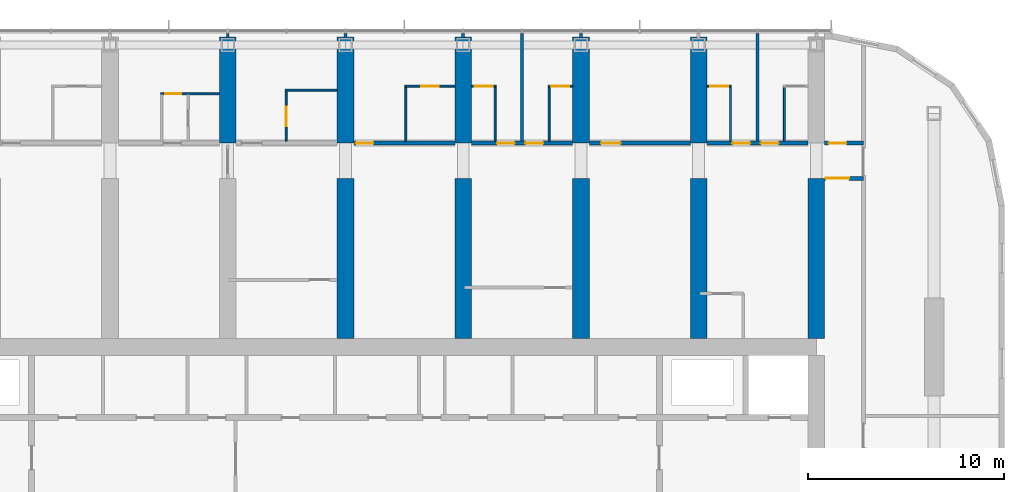
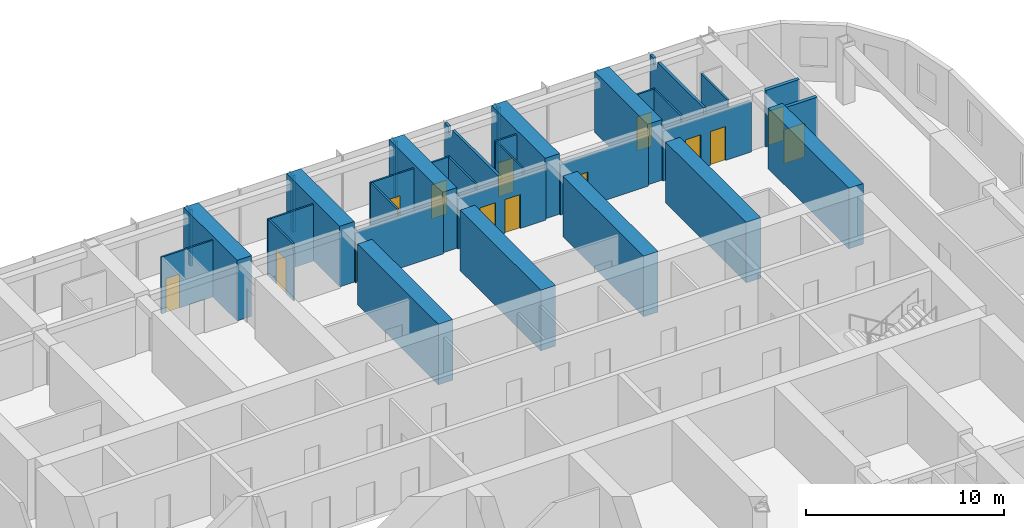
# One storey, part 16 of 22: 34 walls, 14 doors, 14 openings.
"""IFC4 building model written with IfcOpenShell, lengths in metres."""

from ifc_helpers import new_model, si_unit, direction, frame, frame_2d, origin, place, context, subcontext, project, spatial, polyline, rectangle, outline, extrude, material, layer, layer_set, type_object, element, fill, save


model = new_model("IFC4")

# Units and contexts
model_context = context("Model", 3, precision=1e-05, world=origin(), true_north=direction((0.0, 1.0)))
body_context = subcontext(model_context, "Body", "Model", "MODEL_VIEW")
ifc_project = project(units=[si_unit("LENGTHUNIT", "METRE"), si_unit("AREAUNIT", "SQUARE_METRE"), si_unit("VOLUMEUNIT", "CUBIC_METRE"), si_unit("PLANEANGLEUNIT", "RADIAN"), si_unit("MASSUNIT", "GRAM", prefix="KILO")], contexts=[model_context])

# Site, building, storey
site_placement = place(None, origin())
site = spatial("IfcSite", under=ifc_project, at=site_placement, CompositionType="ELEMENT")
building_placement = place(site_placement, origin())
building = spatial("IfcBuilding", under=site, at=building_placement, Name="Orbita Commons", CompositionType="ELEMENT")
storey_placement = place(building_placement, frame((0.0, 0.0, 167.35009765625)))
storey = spatial("IfcBuildingStorey", under=building, at=storey_placement, Name="L41", CompositionType="ELEMENT", Elevation=167.35009765625)

# Wall, opening, door
ifc_material_1 = material(Name="Concrete blockwork", Category="masonry")
ifc_layer_1 = layer(ifc_material_1, 0.199951171875)
ifc_layer_set_1 = layer_set([ifc_layer_1], Name="Concrete blockwork")
wall_type_1 = type_object("IfcWallType", Name="Corridor wall 200 blockwork", PredefinedType="SOLIDWALL", material=ifc_layer_set_1)
wall_1_placement = place(storey_placement, frame((42.425048828125, 48.60009765625, 0.0), z_axis=(0.0, 0.0, 1.0), x_axis=(1.0, 0.0, 0.0)))
wall_1 = element("IfcWall", 1, at=wall_1_placement, inside=storey, type_object=wall_type_1, Name="Corridor wall 200 blockwork L41", PredefinedType="SOLIDWALL", context=body_context, shape_type="SweptSolid", body=[
    extrude(outline(polyline([(0.0, 0.0), (5.14990234375, 0.0), (5.14990234375, 3.099853515625), (0.0, 3.099853515625), (0.0, 0.0)])), frame((0.0, 0.10009765625, 0.0), z_axis=(0.0, -1.0, 0.0), x_axis=(1.0, 0.0, 0.0)), (0.0, 0.0, 1.0), 0.199951171875),
])
opening_1_placement = place(wall_1_placement, frame((0.10009765625, 0.0, 0.0)))
opening_1 = element("IfcOpeningElement", 2, at=opening_1_placement, cuts=wall_1, Name="Opening D11", PredefinedType="OPENING", context=body_context, shape_type="SweptSolid", body=[
    extrude(rectangle(XDim=0.89990234375, YDim=2.10009765625, at=frame_2d((0.449951171875, 1.050048828125))), frame((0.0, 0.10986328125, 0.0), z_axis=(0.0, -1.0, 0.0), x_axis=(1.0, 0.0, 0.0)), (0.0, 0.0, 1.0), 0.219970703125),
])
ifc_material_2 = material(Name="Steel-faced fire door leaf", Category="steel")
door_type_1 = type_object("IfcDoorType", Name="Corridor door 20 min 900x2100", OperationType="SINGLE_SWING_LEFT", PredefinedType="DOOR", material=ifc_material_2)
door_1_placement = place(opening_1_placement, origin())
door_1 = element("IfcDoor", 3, at=door_1_placement, inside=storey, type_object=door_type_1, Name="Twin room L41-N08 door", OperationType="SINGLE_SWING_LEFT", OverallHeight=2.10009765625, OverallWidth=0.89990234375, PredefinedType="DOOR", context=body_context, shape_type="SweptSolid", body=[
    extrude(rectangle(XDim=0.89990234375, YDim=2.10009765625, at=frame_2d((0.449951171875, 1.050048828125))), frame((0.0, 0.02490234375, 0.0), z_axis=(0.0, -1.0, 0.0), x_axis=(1.0, 0.0, 0.0)), (0.0, 0.0, 1.0), 0.050048828125),
])
fill(opening_1, door_1)

# Wall, openings, doors
wall_2_placement = place(storey_placement, frame((48.425048828125, 48.60009765625, 0.0), z_axis=(0.0, 0.0, 1.0), x_axis=(1.0, 0.0, 0.0)))
wall_2 = element("IfcWall", 4, at=wall_2_placement, inside=storey, type_object=wall_type_1, Name="Corridor wall 200 blockwork L41", PredefinedType="SOLIDWALL", context=body_context, shape_type="SweptSolid", body=[
    extrude(outline(polyline([(0.0, 0.0), (5.14990234375, 0.0), (5.14990234375, 3.099853515625), (0.0, 3.099853515625), (0.0, 0.0)])), frame((0.0, 0.10009765625, 0.0), z_axis=(0.0, -1.0, 0.0), x_axis=(1.0, 0.0, 0.0)), (0.0, 0.0, 1.0), 0.199951171875),
])
opening_2_placement = place(wall_2_placement, frame((1.300048828125, 0.0, 0.0)))
opening_2 = element("IfcOpeningElement", 5, at=opening_2_placement, cuts=wall_2, Name="Opening D11", PredefinedType="OPENING", context=body_context, shape_type="SweptSolid", body=[
    extrude(rectangle(XDim=0.89990234375, YDim=2.10009765625, at=frame_2d((0.449951171875, 1.050048828125))), frame((0.0, 0.10986328125, 0.0), z_axis=(0.0, -1.0, 0.0), x_axis=(1.0, 0.0, 0.0)), (0.0, 0.0, 1.0), 0.219970703125),
])
opening_3_placement = place(wall_2_placement, frame((2.75, 0.0, 0.0)))
opening_3 = element("IfcOpeningElement", 6, at=opening_3_placement, cuts=wall_2, Name="Opening D11", PredefinedType="OPENING", context=body_context, shape_type="SweptSolid", body=[
    extrude(rectangle(XDim=0.89990234375, YDim=2.10009765625, at=frame_2d((0.449951171875, 1.050048828125))), frame((0.0, 0.10986328125, 0.0), z_axis=(0.0, -1.0, 0.0), x_axis=(1.0, 0.0, 0.0)), (0.0, 0.0, 1.0), 0.219970703125),
])
door_2_placement = place(opening_2_placement, origin())
door_2 = element("IfcDoor", 7, at=door_2_placement, inside=storey, type_object=door_type_1, Name="Cluster bedroom L41-N10 door", OperationType="SINGLE_SWING_LEFT", OverallHeight=2.10009765625, OverallWidth=0.89990234375, PredefinedType="DOOR", context=body_context, shape_type="SweptSolid", body=[
    extrude(rectangle(XDim=0.89990234375, YDim=2.10009765625, at=frame_2d((0.449951171875, 1.050048828125))), frame((0.0, 0.02490234375, 0.0), z_axis=(0.0, -1.0, 0.0), x_axis=(1.0, 0.0, 0.0)), (0.0, 0.0, 1.0), 0.050048828125),
])
fill(opening_2, door_2)
door_3_placement = place(opening_3_placement, origin())
door_3 = element("IfcDoor", 8, at=door_3_placement, inside=storey, type_object=door_type_1, Name="Cluster bedroom L41-N11 door", OperationType="SINGLE_SWING_LEFT", OverallHeight=2.10009765625, OverallWidth=0.89990234375, PredefinedType="DOOR", context=body_context, shape_type="SweptSolid", body=[
    extrude(rectangle(XDim=0.89990234375, YDim=2.10009765625, at=frame_2d((0.449951171875, 1.050048828125))), frame((0.0, 0.02490234375, 0.0), z_axis=(0.0, -1.0, 0.0), x_axis=(1.0, 0.0, 0.0)), (0.0, 0.0, 1.0), 0.050048828125),
])
fill(opening_3, door_3)

# Wall, opening, door
wall_3_placement = place(storey_placement, frame((54.425048828125, 48.60009765625, 0.0), z_axis=(0.0, 0.0, 1.0), x_axis=(1.0, 0.0, 0.0)))
wall_3 = element("IfcWall", 9, at=wall_3_placement, inside=storey, type_object=wall_type_1, Name="Corridor wall 200 blockwork L41", PredefinedType="SOLIDWALL", context=body_context, shape_type="SweptSolid", body=[
    extrude(outline(polyline([(0.0, 0.0), (5.14990234375, 0.0), (5.14990234375, 3.099853515625), (0.0, 3.099853515625), (0.0, 0.0)])), frame((0.0, 0.10009765625, 0.0), z_axis=(0.0, -1.0, 0.0), x_axis=(1.0, 0.0, 0.0)), (0.0, 0.0, 1.0), 0.199951171875),
])
opening_4_placement = place(wall_3_placement, frame((0.60009765625, 0.0, 0.0)))
opening_4 = element("IfcOpeningElement", 10, at=opening_4_placement, cuts=wall_3, Name="Opening D06", PredefinedType="OPENING", context=body_context, shape_type="SweptSolid", body=[
    extrude(rectangle(XDim=1.0, YDim=2.10009765625, at=frame_2d((0.5, 1.050048828125))), frame((0.0, 0.10986328125, 0.0), z_axis=(0.0, -1.0, 0.0), x_axis=(1.0, 0.0, 0.0)), (0.0, 0.0, 1.0), 0.219970703125),
])
ifc_material_3 = material(Name="Steel-faced fire door leaf", Category="steel")
door_type_2 = type_object("IfcDoorType", Name="Corridor door 20 min 1000x2100", OperationType="SINGLE_SWING_LEFT", PredefinedType="DOOR", material=ifc_material_3)
door_4_placement = place(opening_4_placement, origin())
door_4 = element("IfcDoor", 11, at=door_4_placement, inside=storey, type_object=door_type_2, Name="Cluster kitchen-diner L41-N12 door", OperationType="SINGLE_SWING_LEFT", OverallHeight=2.10009765625, OverallWidth=1.0, PredefinedType="DOOR", context=body_context, shape_type="SweptSolid", body=[
    extrude(rectangle(XDim=1.0, YDim=2.10009765625, at=frame_2d((0.5, 1.050048828125))), frame((0.0, 0.02490234375, 0.0), z_axis=(0.0, -1.0, 0.0), x_axis=(1.0, 0.0, 0.0)), (0.0, 0.0, 1.0), 0.050048828125),
])
fill(opening_4, door_4)

# Wall, openings, doors
wall_4_placement = place(storey_placement, frame((60.425048828125, 48.60009765625, 0.0), z_axis=(0.0, 0.0, 1.0), x_axis=(1.0, 0.0, 0.0)))
wall_4 = element("IfcWall", 12, at=wall_4_placement, inside=storey, type_object=wall_type_1, Name="Corridor wall 200 blockwork L41", PredefinedType="SOLIDWALL", context=body_context, shape_type="SweptSolid", body=[
    extrude(outline(polyline([(0.0, 0.0), (5.14990234375, 0.0), (5.14990234375, 3.099853515625), (0.0, 3.099853515625), (0.0, 0.0)])), frame((0.0, 0.10009765625, 0.0), z_axis=(0.0, -1.0, 0.0), x_axis=(1.0, 0.0, 0.0)), (0.0, 0.0, 1.0), 0.199951171875),
])
opening_5_placement = place(wall_4_placement, frame((1.300048828125, 0.0, 0.0)))
opening_5 = element("IfcOpeningElement", 13, at=opening_5_placement, cuts=wall_4, Name="Opening D11", PredefinedType="OPENING", context=body_context, shape_type="SweptSolid", body=[
    extrude(rectangle(XDim=0.89990234375, YDim=2.10009765625, at=frame_2d((0.449951171875, 1.050048828125))), frame((0.0, 0.10986328125, 0.0), z_axis=(0.0, -1.0, 0.0), x_axis=(1.0, 0.0, 0.0)), (0.0, 0.0, 1.0), 0.219970703125),
])
opening_6_placement = place(wall_4_placement, frame((2.75, 0.0, 0.0)))
opening_6 = element("IfcOpeningElement", 14, at=opening_6_placement, cuts=wall_4, Name="Opening D11", PredefinedType="OPENING", context=body_context, shape_type="SweptSolid", body=[
    extrude(rectangle(XDim=0.89990234375, YDim=2.10009765625, at=frame_2d((0.449951171875, 1.050048828125))), frame((0.0, 0.10986328125, 0.0), z_axis=(0.0, -1.0, 0.0), x_axis=(1.0, 0.0, 0.0)), (0.0, 0.0, 1.0), 0.219970703125),
])
door_5_placement = place(opening_5_placement, origin())
door_5 = element("IfcDoor", 15, at=door_5_placement, inside=storey, type_object=door_type_1, Name="Cluster bedroom L41-N14 door", OperationType="SINGLE_SWING_LEFT", OverallHeight=2.10009765625, OverallWidth=0.89990234375, PredefinedType="DOOR", context=body_context, shape_type="SweptSolid", body=[
    extrude(rectangle(XDim=0.89990234375, YDim=2.10009765625, at=frame_2d((0.449951171875, 1.050048828125))), frame((0.0, 0.02490234375, 0.0), z_axis=(0.0, -1.0, 0.0), x_axis=(1.0, 0.0, 0.0)), (0.0, 0.0, 1.0), 0.050048828125),
])
fill(opening_5, door_5)
door_6_placement = place(opening_6_placement, origin())
door_6 = element("IfcDoor", 16, at=door_6_placement, inside=storey, type_object=door_type_1, Name="Cluster bedroom L41-N15 door", OperationType="SINGLE_SWING_LEFT", OverallHeight=2.10009765625, OverallWidth=0.89990234375, PredefinedType="DOOR", context=body_context, shape_type="SweptSolid", body=[
    extrude(rectangle(XDim=0.89990234375, YDim=2.10009765625, at=frame_2d((0.449951171875, 1.050048828125))), frame((0.0, 0.02490234375, 0.0), z_axis=(0.0, -1.0, 0.0), x_axis=(1.0, 0.0, 0.0)), (0.0, 0.0, 1.0), 0.050048828125),
])
fill(opening_6, door_6)

# Wall, opening, door
wall_5_placement = place(storey_placement, frame((66.425048828125, 48.60009765625, 0.0), z_axis=(0.0, 0.0, 1.0), x_axis=(1.0, 0.0, 0.0)))
wall_5 = element("IfcWall", 17, at=wall_5_placement, inside=storey, type_object=wall_type_1, Name="Corridor wall 200 blockwork L41", PredefinedType="SOLIDWALL", context=body_context, shape_type="SweptSolid", body=[
    extrude(rectangle(XDim=1.974853515625, YDim=0.199951171875, at=frame_2d((0.9873046875, 0.0))), origin(), (0.0, 0.0, 1.0), 3.5),
])
opening_7_placement = place(wall_5_placement, frame((0.199951171875, 0.0, 0.0)))
opening_7 = element("IfcOpeningElement", 18, at=opening_7_placement, cuts=wall_5, Name="Opening D05", PredefinedType="OPENING", context=body_context, shape_type="SweptSolid", body=[
    extrude(rectangle(XDim=0.89990234375, YDim=2.10009765625, at=frame_2d((0.449951171875, 1.050048828125))), frame((0.0, 0.10986328125, 0.0), z_axis=(0.0, -1.0, 0.0), x_axis=(1.0, 0.0, 0.0)), (0.0, 0.0, 1.0), 0.219970703125),
])
ifc_material_4 = material(Name="Steel-faced fire door leaf", Category="steel")
door_type_3 = type_object("IfcDoorType", Name="Service door 20 min 900x2100", OperationType="SINGLE_SWING_LEFT", PredefinedType="DOOR", material=ifc_material_4)
door_7_placement = place(opening_7_placement, origin())
door_7 = element("IfcDoor", 19, at=door_7_placement, inside=storey, type_object=door_type_3, Name="Linen store L41-KEN door", OperationType="SINGLE_SWING_LEFT", OverallHeight=2.10009765625, OverallWidth=0.89990234375, PredefinedType="DOOR", context=body_context, shape_type="SweptSolid", body=[
    extrude(rectangle(XDim=0.89990234375, YDim=2.10009765625, at=frame_2d((0.449951171875, 1.050048828125))), frame((0.0, 0.02490234375, 0.0), z_axis=(0.0, -1.0, 0.0), x_axis=(1.0, 0.0, 0.0)), (0.0, 0.0, 1.0), 0.050048828125),
])
fill(opening_7, door_7)

ifc_material_5 = material(Name="Hollow concrete block 200", Category="concrete")
ifc_layer_2 = layer(ifc_material_5, 0.199951171875)
ifc_layer_set_2 = layer_set([ifc_layer_2], Name="Hollow concrete block 200")
wall_type_2 = type_object("IfcWallType", Name="Corridor wall 200 hollow concrete block", PredefinedType="SOLIDWALL", material=ifc_layer_set_2)
wall_6_placement = place(storey_placement, frame((66.425048828125, 46.800048828125, 0.0), z_axis=(0.0, 0.0, 1.0), x_axis=(1.0, 0.0, 0.0)))
wall_6 = element("IfcWall", 20, at=wall_6_placement, inside=storey, type_object=wall_type_2, Name="Corridor wall 200 hollow concrete block L41", PredefinedType="SOLIDWALL", context=body_context, shape_type="SweptSolid", body=[
    extrude(rectangle(XDim=1.974853515625, YDim=0.199951171875, at=frame_2d((0.9873046875, 0.0))), origin(), (0.0, 0.0, 1.0), 3.5),
])
opening_8_placement = place(wall_6_placement, frame((0.050048828125, 0.0, 0.0)))
opening_8 = element("IfcOpeningElement", 21, at=opening_8_placement, cuts=wall_6, Name="Opening D12", PredefinedType="OPENING", context=body_context, shape_type="SweptSolid", body=[
    extrude(rectangle(XDim=1.199951171875, YDim=2.10009765625, at=frame_2d((0.60009765625, 1.050048828125))), frame((0.0, 0.10986328125, 0.0), z_axis=(0.0, -1.0, 0.0), x_axis=(1.0, 0.0, 0.0)), (0.0, 0.0, 1.0), 0.219970703125),
])
ifc_material_6 = material(Name="Steel-faced fire door leaf", Category="steel")
door_type_4 = type_object("IfcDoorType", Name="Double corridor door 20 min 1200x2100", OperationType="DOUBLE_DOOR_SINGLE_SWING", PredefinedType="DOOR", material=ifc_material_6)
door_8_placement = place(opening_8_placement, origin())
door_8 = element("IfcDoor", 22, at=door_8_placement, inside=storey, type_object=door_type_4, Name="Cross corridor doors", OperationType="DOUBLE_DOOR_SINGLE_SWING", OverallHeight=2.10009765625, OverallWidth=1.199951171875, PredefinedType="DOOR", context=body_context, shape_type="SweptSolid", body=[
    extrude(rectangle(XDim=1.199951171875, YDim=2.10009765625, at=frame_2d((0.60009765625, 1.050048828125))), frame((0.0, 0.02490234375, 0.0), z_axis=(0.0, -1.0, 0.0), x_axis=(1.0, 0.0, 0.0)), (0.0, 0.0, 1.0), 0.050048828125),
])
fill(opening_8, door_8)

# Walls
ifc_material_7 = material(Name="Concrete C50/60", Category="concrete")
ifc_layer_3 = layer(ifc_material_7, 0.85009765625)
ifc_layer_set_3 = layer_set([ifc_layer_3], Name="Concrete C50/60")
wall_type_3 = type_object("IfcWallType", Name="Cross wall 850 C50/60", PredefinedType="SHEAR", material=ifc_layer_set_3)
for number, where, z_axis, x_axis, name in (
    (23, (36.0, 48.60009765625, 0.0), (0.0, 0.0, 1.0), (0.0, 1.0, 0.0), "Cross wall 7 north outer L41"),
    (24, (42.0, 48.60009765625, 0.0), (0.0, 0.0, 1.0), (0.0, 1.0, 0.0), "Cross wall 8 north outer L41"),
):
    element("IfcWall", number, at=place(storey_placement, frame(where, z_axis=z_axis, x_axis=x_axis)), inside=storey, type_object=wall_type_3, Name=name, PredefinedType="SHEAR", context=body_context, shape_type="SweptSolid", body=[
        extrude(rectangle(XDim=5.39990234375, YDim=0.85009765625, at=frame_2d((2.699951171875, 0.0))), origin(), (0.0, 0.0, 1.0), 3.75),
    ])
wall_7_placement = place(storey_placement, frame((42.0, 38.625, 0.0), z_axis=(0.0, 0.0, 1.0), x_axis=(0.0, 1.0, 0.0)))
element("IfcWall", 25, at=wall_7_placement, inside=storey, type_object=wall_type_3, Name="Cross wall 8 north inner L41", PredefinedType="SHEAR", context=body_context, shape_type="SweptSolid", body=[
    extrude(rectangle(XDim=8.175048828125, YDim=0.85009765625, at=frame_2d((4.08740234375, 0.0))), origin(), (0.0, 0.0, 1.0), 3.75),
])
wall_8_placement = place(storey_placement, frame((48.0, 48.60009765625, 0.0), z_axis=(0.0, 0.0, 1.0), x_axis=(0.0, 1.0, 0.0)))
element("IfcWall", 26, at=wall_8_placement, inside=storey, type_object=wall_type_3, Name="Cross wall 9 north outer L41", PredefinedType="SHEAR", context=body_context, shape_type="SweptSolid", body=[
    extrude(rectangle(XDim=5.39990234375, YDim=0.85009765625, at=frame_2d((2.699951171875, 0.0))), origin(), (0.0, 0.0, 1.0), 3.75),
])
wall_9_placement = place(storey_placement, frame((48.0, 38.625, 0.0), z_axis=(0.0, 0.0, 1.0), x_axis=(0.0, 1.0, 0.0)))
element("IfcWall", 27, at=wall_9_placement, inside=storey, type_object=wall_type_3, Name="Cross wall 9 north inner L41", PredefinedType="SHEAR", context=body_context, shape_type="SweptSolid", body=[
    extrude(rectangle(XDim=8.175048828125, YDim=0.85009765625, at=frame_2d((4.08740234375, 0.0))), origin(), (0.0, 0.0, 1.0), 3.75),
])
wall_10_placement = place(storey_placement, frame((54.0, 48.60009765625, 0.0), z_axis=(0.0, 0.0, 1.0), x_axis=(0.0, 1.0, 0.0)))
element("IfcWall", 28, at=wall_10_placement, inside=storey, type_object=wall_type_3, Name="Cross wall 10 north outer L41", PredefinedType="SHEAR", context=body_context, shape_type="SweptSolid", body=[
    extrude(rectangle(XDim=5.39990234375, YDim=0.85009765625, at=frame_2d((2.699951171875, 0.0))), origin(), (0.0, 0.0, 1.0), 3.75),
])
wall_11_placement = place(storey_placement, frame((54.0, 38.625, 0.0), z_axis=(0.0, 0.0, 1.0), x_axis=(0.0, 1.0, 0.0)))
element("IfcWall", 29, at=wall_11_placement, inside=storey, type_object=wall_type_3, Name="Cross wall 10 north inner L41", PredefinedType="SHEAR", context=body_context, shape_type="SweptSolid", body=[
    extrude(rectangle(XDim=8.175048828125, YDim=0.85009765625, at=frame_2d((4.08740234375, 0.0))), origin(), (0.0, 0.0, 1.0), 3.75),
])
wall_12_placement = place(storey_placement, frame((60.0, 48.60009765625, 0.0), z_axis=(0.0, 0.0, 1.0), x_axis=(0.0, 1.0, 0.0)))
element("IfcWall", 30, at=wall_12_placement, inside=storey, type_object=wall_type_3, Name="Cross wall 11 north outer L41", PredefinedType="SHEAR", context=body_context, shape_type="SweptSolid", body=[
    extrude(rectangle(XDim=5.39990234375, YDim=0.85009765625, at=frame_2d((2.699951171875, 0.0))), origin(), (0.0, 0.0, 1.0), 3.75),
])
for number, where, z_axis, x_axis, name in (
    (31, (60.0, 38.625, 0.0), (0.0, 0.0, 1.0), (0.0, 1.0, 0.0), "Cross wall 11 north inner L41"),
    (32, (66.0, 38.625, 0.0), (0.0, 0.0, 1.0), (0.0, 1.0, 0.0), "Cross wall 12 north inner L41"),
):
    element("IfcWall", number, at=place(storey_placement, frame(where, z_axis=z_axis, x_axis=x_axis)), inside=storey, type_object=wall_type_3, Name=name, PredefinedType="SHEAR", context=body_context, shape_type="SweptSolid", body=[
        extrude(rectangle(XDim=8.175048828125, YDim=0.85009765625, at=frame_2d((4.08740234375, 0.0))), origin(), (0.0, 0.0, 1.0), 3.75),
    ])

# Wall, opening, door
ifc_material_8 = material(Name="Moisture-resistant plasterboard on steel studs", Category="steel")
ifc_layer_4 = layer(ifc_material_8, 0.10009765625)
ifc_layer_set_4 = layer_set([ifc_layer_4], Name="Moisture-resistant plasterboard on steel studs")
wall_type_4 = type_object("IfcWallType", Name="En-suite partition 100", PredefinedType="PARTITIONING", material=ifc_layer_set_4)
wall_13_placement = place(storey_placement, frame((32.574951171875, 51.10009765625, 0.0), z_axis=(0.0, 0.0, 1.0), x_axis=(1.0, 0.0, 0.0)))
wall_13 = element("IfcWall", 33, at=wall_13_placement, inside=storey, type_object=wall_type_4, Name="En-suite partition 100 L41", PredefinedType="PARTITIONING", context=body_context, shape_type="SweptSolid", body=[
    extrude(rectangle(XDim=3.0, YDim=0.10009765625, at=frame_2d((1.5, 0.0))), origin(), (0.0, 0.0, 1.0), 3.5),
])
opening_9_placement = place(wall_13_placement, frame((0.25, 0.0, 0.0)))
opening_9 = element("IfcOpeningElement", 34, at=opening_9_placement, cuts=wall_13, Name="Opening D16", PredefinedType="OPENING", context=body_context, shape_type="SweptSolid", body=[
    extrude(rectangle(XDim=0.800048828125, YDim=2.10009765625, at=frame_2d((0.39990234375, 1.050048828125))), frame((0.0, 0.06005859375, 0.0), z_axis=(0.0, -1.0, 0.0), x_axis=(1.0, 0.0, 0.0)), (0.0, 0.0, 1.0), 0.1201171875),
])
ifc_material_9 = material(Name="Laminated timber door leaf", Category="wood")
door_type_5 = type_object("IfcDoorType", Name="En-suite door 800x2100", OperationType="SINGLE_SWING_RIGHT", PredefinedType="DOOR", material=ifc_material_9)
door_9_placement = place(opening_9_placement, origin())
door_9 = element("IfcDoor", 35, at=door_9_placement, inside=storey, type_object=door_type_5, Name="Studio flat L41-N04 door", OperationType="SINGLE_SWING_RIGHT", OverallHeight=2.10009765625, OverallWidth=0.800048828125, PredefinedType="DOOR", context=body_context, shape_type="SweptSolid", body=[
    extrude(rectangle(XDim=0.800048828125, YDim=2.10009765625, at=frame_2d((0.39990234375, 1.050048828125))), frame((0.0, 0.02490234375, 0.0), z_axis=(0.0, -1.0, 0.0), x_axis=(1.0, 0.0, 0.0)), (0.0, 0.0, 1.0), 0.050048828125),
])
fill(opening_9, door_9)

# Wall
wall_14_placement = place(storey_placement, frame((38.925048828125, 51.300048828125, 0.0), z_axis=(0.0, 0.0, 1.0), x_axis=(1.0, 0.0, 0.0)))
element("IfcWall", 36, at=wall_14_placement, inside=storey, type_object=wall_type_4, Name="En-suite partition 100 L41", PredefinedType="PARTITIONING", context=body_context, shape_type="SweptSolid", body=[
    extrude(rectangle(XDim=2.64990234375, YDim=0.10009765625, at=frame_2d((1.324951171875, 0.0))), origin(), (0.0, 0.0, 1.0), 3.5),
])

# Wall, opening, door
wall_15_placement = place(storey_placement, frame((38.97509765625, 51.25, 0.0), z_axis=(0.0, 0.0, 1.0), x_axis=(0.0, -1.0, 0.0)))
wall_15 = element("IfcWall", 37, at=wall_15_placement, inside=storey, type_object=wall_type_4, Name="En-suite partition 100 L41", PredefinedType="PARTITIONING", context=body_context, shape_type="SweptSolid", body=[
    extrude(outline(polyline([(0.0, 0.0), (2.550048828125, 0.0), (2.550048828125, 3.099853515625), (2.501953125, 3.099853515625), (2.5, 3.5), (0.0, 3.5), (0.0, 0.0)])), frame((0.0, 0.050048828125, 0.0), z_axis=(0.0, -1.0, 0.0), x_axis=(1.0, 0.0, 0.0)), (0.0, 0.0, 1.0), 0.10009765625),
])
opening_10_placement = place(wall_15_placement, frame((0.800048828125, 0.0, 0.0)))
opening_10 = element("IfcOpeningElement", 38, at=opening_10_placement, cuts=wall_15, Name="Opening D13", PredefinedType="OPENING", context=body_context, shape_type="SweptSolid", body=[
    extrude(rectangle(XDim=1.0, YDim=2.10009765625, at=frame_2d((0.5, 1.050048828125))), frame((0.0, 0.06005859375, 0.0), z_axis=(0.0, -1.0, 0.0), x_axis=(1.0, 0.0, 0.0)), (0.0, 0.0, 1.0), 0.1201171875),
])
ifc_material_10 = material(Name="Laminated timber door leaf", Category="wood")
door_type_6 = type_object("IfcDoorType", Name="En-suite door 1000x2100", OperationType="SINGLE_SWING_RIGHT", PredefinedType="DOOR", material=ifc_material_10)
door_10_placement = place(opening_10_placement, origin())
door_10 = element("IfcDoor", 39, at=door_10_placement, inside=storey, type_object=door_type_6, Name="Accessible shower room L41-N06 door", OperationType="SINGLE_SWING_RIGHT", OverallHeight=2.10009765625, OverallWidth=1.0, PredefinedType="DOOR", context=body_context, shape_type="SweptSolid", body=[
    extrude(rectangle(XDim=1.0, YDim=2.10009765625, at=frame_2d((0.5, 1.050048828125))), frame((0.0, 0.02490234375, 0.0), z_axis=(0.0, -1.0, 0.0), x_axis=(1.0, 0.0, 0.0)), (0.0, 0.0, 1.0), 0.050048828125),
])
fill(opening_10, door_10)

wall_16_placement = place(storey_placement, frame((45.02490234375, 51.5, 0.0), z_axis=(0.0, 0.0, 1.0), x_axis=(1.0, 0.0, 0.0)))
wall_16 = element("IfcWall", 40, at=wall_16_placement, inside=storey, type_object=wall_type_4, Name="En-suite partition 100 L41", PredefinedType="PARTITIONING", context=body_context, shape_type="SweptSolid", body=[
    extrude(rectangle(XDim=2.550048828125, YDim=0.10009765625, at=frame_2d((1.27490234375, 0.0))), origin(), (0.0, 0.0, 1.0), 3.5),
])
opening_11_placement = place(wall_16_placement, frame((0.824951171875, 0.0, 0.0)))
opening_11 = element("IfcOpeningElement", 41, at=opening_11_placement, cuts=wall_16, Name="Opening D09", PredefinedType="OPENING", context=body_context, shape_type="SweptSolid", body=[
    extrude(rectangle(XDim=0.89990234375, YDim=2.10009765625, at=frame_2d((0.449951171875, 1.050048828125))), frame((0.0, 0.06005859375, 0.0), z_axis=(0.0, -1.0, 0.0), x_axis=(1.0, 0.0, 0.0)), (0.0, 0.0, 1.0), 0.1201171875),
])
ifc_material_11 = material(Name="Laminated timber door leaf", Category="wood")
door_type_7 = type_object("IfcDoorType", Name="En-suite door 900x2100", OperationType="SINGLE_SWING_RIGHT", PredefinedType="DOOR", material=ifc_material_11)
door_11_placement = place(opening_11_placement, origin())
door_11 = element("IfcDoor", 42, at=door_11_placement, inside=storey, type_object=door_type_7, Name="En-suite L41-N08 door", OperationType="SINGLE_SWING_RIGHT", OverallHeight=2.10009765625, OverallWidth=0.89990234375, PredefinedType="DOOR", context=body_context, shape_type="SweptSolid", body=[
    extrude(rectangle(XDim=0.89990234375, YDim=2.10009765625, at=frame_2d((0.449951171875, 1.050048828125))), frame((0.0, 0.02490234375, 0.0), z_axis=(0.0, -1.0, 0.0), x_axis=(1.0, 0.0, 0.0)), (0.0, 0.0, 1.0), 0.050048828125),
])
fill(opening_11, door_11)

# Wall
wall_17_placement = place(storey_placement, frame((45.074951171875, 51.449951171875, 0.0), z_axis=(0.0, 0.0, 1.0), x_axis=(0.0, -1.0, 0.0)))
element("IfcWall", 43, at=wall_17_placement, inside=storey, type_object=wall_type_4, Name="En-suite partition 100 L41", PredefinedType="PARTITIONING", context=body_context, shape_type="SweptSolid", body=[
    extrude(outline(polyline([(0.0, 0.0), (2.75, 0.0), (2.75, 3.099853515625), (2.701904296875, 3.099853515625), (2.699951171875, 3.5), (0.0, 3.5), (0.0, 0.0)])), frame((0.0, 0.050048828125, 0.0), z_axis=(0.0, -1.0, 0.0), x_axis=(1.0, 0.0, 0.0)), (0.0, 0.0, 1.0), 0.10009765625),
])

# Wall, opening, door
wall_18_placement = place(storey_placement, frame((48.425048828125, 51.5, 0.0), z_axis=(0.0, 0.0, 1.0), x_axis=(1.0, 0.0, 0.0)))
wall_18 = element("IfcWall", 44, at=wall_18_placement, inside=storey, type_object=wall_type_4, Name="En-suite partition 100 L41", PredefinedType="PARTITIONING", context=body_context, shape_type="SweptSolid", body=[
    extrude(rectangle(XDim=1.25, YDim=0.10009765625, at=frame_2d((0.625, 0.0))), origin(), (0.0, 0.0, 1.0), 3.5),
])
opening_12_placement = place(wall_18_placement, frame((0.175048828125, 0.0, 0.0)))
opening_12 = element("IfcOpeningElement", 45, at=opening_12_placement, cuts=wall_18, Name="Opening D09", PredefinedType="OPENING", context=body_context, shape_type="SweptSolid", body=[
    extrude(rectangle(XDim=0.89990234375, YDim=2.10009765625, at=frame_2d((0.449951171875, 1.050048828125))), frame((0.0, 0.06005859375, 0.0), z_axis=(0.0, -1.0, 0.0), x_axis=(1.0, 0.0, 0.0)), (0.0, 0.0, 1.0), 0.1201171875),
])
door_12_placement = place(opening_12_placement, origin())
door_12 = element("IfcDoor", 46, at=door_12_placement, inside=storey, type_object=door_type_7, Name="En-suite L41-N10 door", OperationType="SINGLE_SWING_RIGHT", OverallHeight=2.10009765625, OverallWidth=0.89990234375, PredefinedType="DOOR", context=body_context, shape_type="SweptSolid", body=[
    extrude(rectangle(XDim=0.89990234375, YDim=2.10009765625, at=frame_2d((0.449951171875, 1.050048828125))), frame((0.0, 0.02490234375, 0.0), z_axis=(0.0, -1.0, 0.0), x_axis=(1.0, 0.0, 0.0)), (0.0, 0.0, 1.0), 0.050048828125),
])
fill(opening_12, door_12)

# Wall
wall_19_placement = place(storey_placement, frame((49.625, 51.449951171875, 0.0), z_axis=(0.0, 0.0, 1.0), x_axis=(0.0, -1.0, 0.0)))
element("IfcWall", 47, at=wall_19_placement, inside=storey, type_object=wall_type_4, Name="En-suite partition 100 L41", PredefinedType="PARTITIONING", context=body_context, shape_type="SweptSolid", body=[
    extrude(outline(polyline([(0.0, 0.0), (2.75, 0.0), (2.75, 3.099853515625), (2.701904296875, 3.099853515625), (2.699951171875, 3.5), (0.0, 3.5), (0.0, 0.0)])), frame((0.0, 0.050048828125, 0.0), z_axis=(0.0, -1.0, 0.0), x_axis=(1.0, 0.0, 0.0)), (0.0, 0.0, 1.0), 0.10009765625),
])

# Wall, opening, door
wall_20_placement = place(storey_placement, frame((52.324951171875, 51.5, 0.0), z_axis=(0.0, 0.0, 1.0), x_axis=(1.0, 0.0, 0.0)))
wall_20 = element("IfcWall", 48, at=wall_20_placement, inside=storey, type_object=wall_type_4, Name="En-suite partition 100 L41", PredefinedType="PARTITIONING", context=body_context, shape_type="SweptSolid", body=[
    extrude(rectangle(XDim=1.25, YDim=0.10009765625, at=frame_2d((0.625, 0.0))), origin(), (0.0, 0.0, 1.0), 3.5),
])
opening_13_placement = place(wall_20_placement, frame((0.175048828125, 0.0, 0.0)))
opening_13 = element("IfcOpeningElement", 49, at=opening_13_placement, cuts=wall_20, Name="Opening D09", PredefinedType="OPENING", context=body_context, shape_type="SweptSolid", body=[
    extrude(rectangle(XDim=0.89990234375, YDim=2.10009765625, at=frame_2d((0.449951171875, 1.050048828125))), frame((0.0, 0.06005859375, 0.0), z_axis=(0.0, -1.0, 0.0), x_axis=(1.0, 0.0, 0.0)), (0.0, 0.0, 1.0), 0.1201171875),
])
door_13_placement = place(opening_13_placement, origin())
door_13 = element("IfcDoor", 50, at=door_13_placement, inside=storey, type_object=door_type_7, Name="En-suite L41-N11 door", OperationType="SINGLE_SWING_RIGHT", OverallHeight=2.10009765625, OverallWidth=0.89990234375, PredefinedType="DOOR", context=body_context, shape_type="SweptSolid", body=[
    extrude(rectangle(XDim=0.89990234375, YDim=2.10009765625, at=frame_2d((0.449951171875, 1.050048828125))), frame((0.0, 0.02490234375, 0.0), z_axis=(0.0, -1.0, 0.0), x_axis=(1.0, 0.0, 0.0)), (0.0, 0.0, 1.0), 0.050048828125),
])
fill(opening_13, door_13)

# Wall
wall_21_placement = place(storey_placement, frame((52.375, 51.449951171875, 0.0), z_axis=(0.0, 0.0, 1.0), x_axis=(0.0, -1.0, 0.0)))
element("IfcWall", 51, at=wall_21_placement, inside=storey, type_object=wall_type_4, Name="En-suite partition 100 L41", PredefinedType="PARTITIONING", context=body_context, shape_type="SweptSolid", body=[
    extrude(outline(polyline([(0.0, 0.0), (2.75, 0.0), (2.75, 3.099853515625), (2.701904296875, 3.099853515625), (2.699951171875, 3.5), (0.0, 3.5), (0.0, 0.0)])), frame((0.0, 0.050048828125, 0.0), z_axis=(0.0, -1.0, 0.0), x_axis=(1.0, 0.0, 0.0)), (0.0, 0.0, 1.0), 0.10009765625),
])

# Wall, opening, door
wall_22_placement = place(storey_placement, frame((60.425048828125, 51.5, 0.0), z_axis=(0.0, 0.0, 1.0), x_axis=(1.0, 0.0, 0.0)))
wall_22 = element("IfcWall", 52, at=wall_22_placement, inside=storey, type_object=wall_type_4, Name="En-suite partition 100 L41", PredefinedType="PARTITIONING", context=body_context, shape_type="SweptSolid", body=[
    extrude(rectangle(XDim=1.25, YDim=0.10009765625, at=frame_2d((0.625, 0.0))), origin(), (0.0, 0.0, 1.0), 3.5),
])
opening_14_placement = place(wall_22_placement, frame((0.175048828125, 0.0, 0.0)))
opening_14 = element("IfcOpeningElement", 53, at=opening_14_placement, cuts=wall_22, Name="Opening D09", PredefinedType="OPENING", context=body_context, shape_type="SweptSolid", body=[
    extrude(rectangle(XDim=0.89990234375, YDim=2.10009765625, at=frame_2d((0.449951171875, 1.050048828125))), frame((0.0, 0.06005859375, 0.0), z_axis=(0.0, -1.0, 0.0), x_axis=(1.0, 0.0, 0.0)), (0.0, 0.0, 1.0), 0.1201171875),
])
door_14_placement = place(opening_14_placement, origin())
door_14 = element("IfcDoor", 54, at=door_14_placement, inside=storey, type_object=door_type_7, Name="En-suite L41-N14 door", OperationType="SINGLE_SWING_RIGHT", OverallHeight=2.10009765625, OverallWidth=0.89990234375, PredefinedType="DOOR", context=body_context, shape_type="SweptSolid", body=[
    extrude(rectangle(XDim=0.89990234375, YDim=2.10009765625, at=frame_2d((0.449951171875, 1.050048828125))), frame((0.0, 0.02490234375, 0.0), z_axis=(0.0, -1.0, 0.0), x_axis=(1.0, 0.0, 0.0)), (0.0, 0.0, 1.0), 0.050048828125),
])
fill(opening_14, door_14)

# Walls
for number, where, z_axis, x_axis, name in (
    (55, (61.625, 51.449951171875, 0.0), (0.0, 0.0, 1.0), (0.0, -1.0, 0.0), "En-suite partition 100 L41"),
    (56, (64.375, 51.449951171875, 0.0), (0.0, 0.0, 1.0), (0.0, -1.0, 0.0), "En-suite partition 100 L41"),
):
    element("IfcWall", number, at=place(storey_placement, frame(where, z_axis=z_axis, x_axis=x_axis)), inside=storey, type_object=wall_type_4, Name=name, PredefinedType="PARTITIONING", context=body_context, shape_type="SweptSolid", body=[
        extrude(outline(polyline([(0.0, 0.0), (2.75, 0.0), (2.75, 3.099853515625), (2.701904296875, 3.099853515625), (2.699951171875, 3.5), (0.0, 3.5), (0.0, 0.0)])), frame((0.0, 0.050048828125, 0.0), z_axis=(0.0, -1.0, 0.0), x_axis=(1.0, 0.0, 0.0)), (0.0, 0.0, 1.0), 0.10009765625),
    ])
ifc_material_12 = material(Name="Gypsum plasterboard on steel studs", Category="steel")
ifc_layer_5 = layer(ifc_material_12, 0.14990234375)
ifc_layer_set_5 = layer_set([ifc_layer_5], Name="Gypsum plasterboard on steel studs")
wall_type_5 = type_object("IfcWallType", Name="Partition 150 plasterboard", PredefinedType="PARTITIONING", material=ifc_layer_set_5)
for number, where, z_axis, x_axis, name in (
    (57, (36.0, 53.949951171875, 0.0), (0.0, 0.0, 1.0), (0.0, 1.0, 0.0), "Partition 150 plasterboard L41"),
    (58, (42.0, 53.949951171875, 0.0), (0.0, 0.0, 1.0), (0.0, 1.0, 0.0), "Partition 150 plasterboard L41"),
    (59, (48.0, 53.949951171875, 0.0), (0.0, 0.0, 1.0), (0.0, 1.0, 0.0), "Partition 150 plasterboard L41"),
    (60, (54.0, 53.949951171875, 0.0), (0.0, 0.0, 1.0), (0.0, 1.0, 0.0), "Partition 150 plasterboard L41"),
):
    element("IfcWall", number, at=place(storey_placement, frame(where, z_axis=z_axis, x_axis=x_axis)), inside=storey, type_object=wall_type_5, Name=name, PredefinedType="PARTITIONING", context=body_context, shape_type="SweptSolid", body=[
        extrude(rectangle(XDim=0.239990234375, YDim=0.14990234375, at=frame_2d((0.1201171875, 0.0))), origin(), (0.0, 0.0, 1.0), 3.5),
    ])
ifc_material_13 = material(Name="Gypsum plasterboard on steel studs", Category="steel")
ifc_layer_6 = layer(ifc_material_13, 0.14990234375)
ifc_layer_set_6 = layer_set([ifc_layer_6], Name="Gypsum plasterboard on steel studs")
wall_type_6 = type_object("IfcWallType", Name="Party wall 150 plasterboard", PredefinedType="PARTITIONING", material=ifc_layer_set_6)
for number, where, z_axis, x_axis, name in (
    (61, (51.0, 54.18994140625, 0.0), (0.0, 0.0, 1.0), (0.0, -1.0, 0.0), "Party wall 150 plasterboard L41"),
    (62, (63.0, 54.18994140625, 0.0), (0.0, 0.0, 1.0), (0.0, -1.0, 0.0), "Party wall 150 plasterboard L41"),
):
    element("IfcWall", number, at=place(storey_placement, frame(where, z_axis=z_axis, x_axis=x_axis)), inside=storey, type_object=wall_type_6, Name=name, PredefinedType="PARTITIONING", context=body_context, shape_type="SweptSolid", body=[
        extrude(outline(polyline([(0.0, 0.0), (5.489990234375, 0.0), (5.489990234375, 3.099853515625), (5.44189453125, 3.099853515625), (5.43994140625, 3.5), (0.7919921875, 3.5), (0.7900390625, 3.099853515625), (0.39208984375, 3.099853515625), (0.389892578125, 3.5), (0.0, 3.5), (0.0, 0.0)])), frame((0.0, 0.074951171875, 0.0), z_axis=(0.0, -1.0, 0.0), x_axis=(1.0, 0.0, 0.0)), (0.0, 0.0, 1.0), 0.14990234375),
    ])

save(model, "model.ifc")
